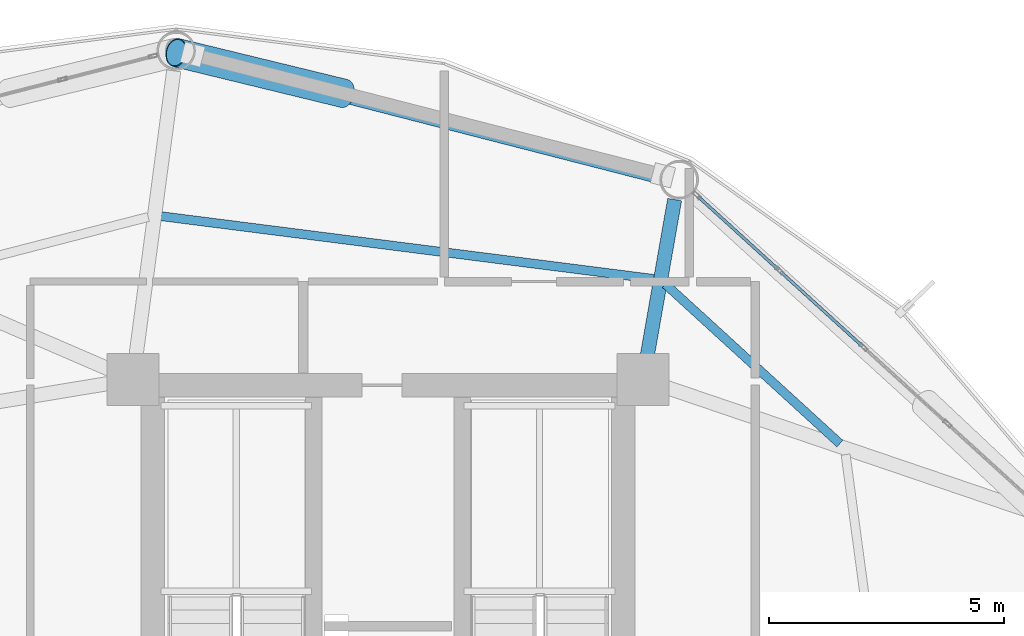
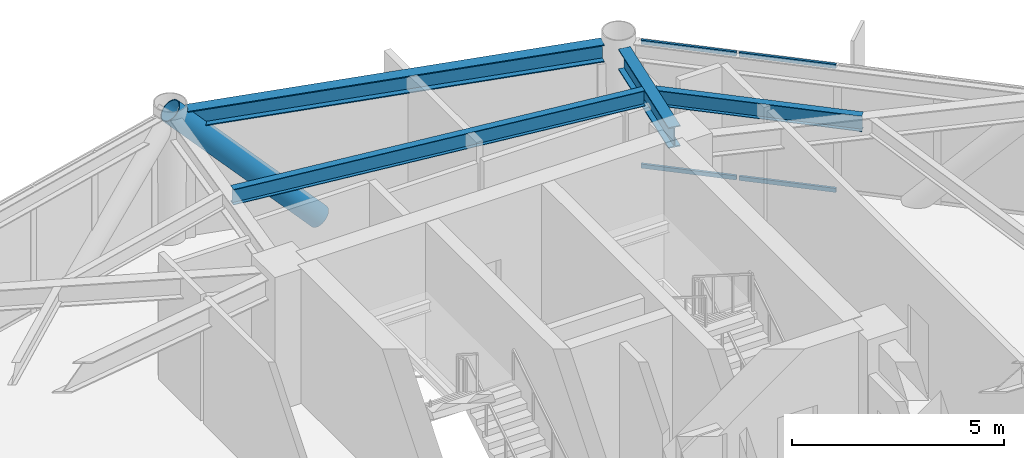
# One storey, part 16 of 23: 5 members, 4 beams, 1 element without a shape of its own.
"""IFC4 building model written with IfcOpenShell, lengths in metres."""

from ifc_helpers import new_model, si_unit, direction, frame, origin, origin_2d, place, context, subcontext, project, spatial, hollow_rectangle, hollow_circle, i_section, extrude, material, layer, layer_set, material_profile, profile_set, type_object, element, aggregate, save


model = new_model("IFC4")

# Units and contexts
model_context = context("Model", 3, precision=1e-05, world=origin(), true_north=direction((0.0, 1.0)))
body_context = subcontext(model_context, "Body", "Model", "MODEL_VIEW")
ifc_project = project(units=[si_unit("LENGTHUNIT", "METRE"), si_unit("AREAUNIT", "SQUARE_METRE"), si_unit("VOLUMEUNIT", "CUBIC_METRE"), si_unit("PLANEANGLEUNIT", "RADIAN"), si_unit("MASSUNIT", "GRAM", prefix="KILO")], contexts=[model_context])

# Site, building, storey
site_placement = place(None, origin())
site = spatial("IfcSite", under=ifc_project, at=site_placement, CompositionType="ELEMENT")
building_placement = place(site_placement, origin())
building = spatial("IfcBuilding", under=site, at=building_placement, Name="Varnakorn Sky Granary", CompositionType="ELEMENT")
storey_placement = place(building_placement, frame((0.0, 0.0, 107.10009765625)))
storey = spatial("IfcBuildingStorey", under=building, at=storey_placement, Name="L26", CompositionType="ELEMENT", Elevation=107.10009765625)

# Beams
ifc_material_1 = material(Name="Steel S355JR", Category="steel")
ifc_material_profile_1 = material_profile(ifc_material_1, i_section(OverallWidth=0.300048828125, OverallDepth=0.60009765625, WebThickness=0.015380859375, FlangeThickness=0.030029296875, at=origin_2d()), Name="HE 600 B")
ifc_profile_set_1 = profile_set([ifc_material_profile_1], Name="Steel S355JR")
beam_type_1 = type_object("IfcBeamType", Name="BM-RAD-Z2", PredefinedType="BEAM", material=ifc_profile_set_1)
beam_1_placement = place(storey_placement, frame((8.492431640625, 13.03369140625, 3.33984375), z_axis=(0.172726192752, 0.984969878898, 0.0), x_axis=(-0.984969878898, 0.172726192752, 0.0)))
element("IfcBeam", 1, at=beam_1_placement, inside=storey, type_object=beam_type_1, Name="Radial Floor Girder RG03 L26", PredefinedType="BEAM", context=body_context, shape_type="SweptSolid", body=[
    extrude(i_section(OverallWidth=0.300048828125, OverallDepth=0.60009765625, WebThickness=0.015380859375, FlangeThickness=0.030029296875, at=origin_2d()), origin(), (0.0, 0.0, 1.0), 3.458740234375),
])
ifc_material_profile_2 = material_profile(ifc_material_1, i_section(OverallWidth=0.18994140625, OverallDepth=0.449951171875, WebThickness=0.009521484375, FlangeThickness=0.0146484375, at=origin_2d()), Name="IPE 450")
ifc_profile_set_2 = profile_set([ifc_material_profile_2], Name="Steel S355JR")
beam_type_2 = type_object("IfcBeamType", Name="BM-SEC-Z2", PredefinedType="BEAM", material=ifc_profile_set_2)
beam_2_placement = place(storey_placement, frame((12.599853515625, 11.257080078125, 3.414794921875), z_axis=(-0.738249556938, 0.674527680441, 0.0), x_axis=(-0.674527680441, -0.738249556938, 0.0)))
element("IfcBeam", 2, at=beam_2_placement, inside=storey, type_object=beam_type_2, Name="Secondary Floor Chord Beam MSB02 L26", PredefinedType="BEAM", context=body_context, shape_type="SweptSolid", body=[
    extrude(i_section(OverallWidth=0.18994140625, OverallDepth=0.449951171875, WebThickness=0.009521484375, FlangeThickness=0.0146484375, at=origin_2d()), origin(), (0.0, 0.0, 1.0), 5.01904296875),
])
beam_3_placement = place(storey_placement, frame((8.65234375, 14.754638671875, 3.414794921875), z_axis=(-0.991985899301, 0.126348627168, 0.0), x_axis=(-0.126348627168, -0.991985899301, 0.0)))
element("IfcBeam", 3, at=beam_3_placement, inside=storey, type_object=beam_type_2, Name="Secondary Floor Chord Beam MSB03 L26", PredefinedType="BEAM", context=body_context, shape_type="SweptSolid", body=[
    extrude(i_section(OverallWidth=0.18994140625, OverallDepth=0.449951171875, WebThickness=0.009521484375, FlangeThickness=0.0146484375, at=origin_2d()), origin(), (0.0, 0.0, 1.0), 10.55615234375),
])
ifc_material_profile_3 = material_profile(ifc_material_1, i_section(OverallWidth=0.300048828125, OverallDepth=0.5, WebThickness=0.014404296875, FlangeThickness=0.028076171875, at=origin_2d()), Name="HE 500 B")
ifc_profile_set_3 = profile_set([ifc_material_profile_3], Name="Steel S355JR")
beam_type_3 = type_object("IfcBeamType", Name="BM-SPD-Z2", PredefinedType="SPANDREL", material=ifc_profile_set_3)
beam_4_placement = place(storey_placement, frame((8.7783203125, 16.92333984375, 3.389892578125), z_axis=(-0.968546902543, 0.248831062318, 0.0), x_axis=(-0.248831062318, -0.968546902543, 0.0)))
element("IfcBeam", 4, at=beam_4_placement, inside=storey, type_object=beam_type_3, Name="Perimeter Spandrel Ring Beam RB03 L26", PredefinedType="SPANDREL", context=body_context, shape_type="SweptSolid", body=[
    extrude(i_section(OverallWidth=0.300048828125, OverallDepth=0.5, WebThickness=0.014404296875, FlangeThickness=0.028076171875, at=origin_2d()), origin(), (0.0, 0.0, 1.0), 10.220703125),
])

# Curtain wall, members
ifc_material_2 = material(Name="Anodised Bronze Aluminium Alloy 6063-T6", Category="aluminium")
ifc_layer = layer(ifc_material_2, 0.179931640625, Name="Anodised Bronze Aluminium Alloy 6063-T6")
ifc_layer_set = layer_set([ifc_layer], Name="Anodised Bronze Aluminium Alloy 6063-T6")
curtain_wall_type = type_object("IfcCurtainWallType", Name="CW-FRM-2", PredefinedType="USERDEFINED", material=ifc_layer_set)
curtain_wall_placement = place(storey_placement, origin())
curtain_wall = element("IfcCurtainWall", 5, at=curtain_wall_placement, inside=storey, type_object=curtain_wall_type, Name="Unitised Curtain Wall CW4 CW-L26-B02", ObjectType="CURTAIN WALL", PredefinedType="USERDEFINED")
ifc_material_profile_4 = material_profile(ifc_material_2, hollow_rectangle(XDim=0.06494140625, YDim=0.1201171875, WallThickness=0.00341796875, at=origin_2d()), Name="ALU TRAN 65x120")
ifc_profile_set_4 = profile_set([ifc_material_profile_4], Name="Anodised Bronze Aluminium Alloy 6063-T6")
member_type_1 = type_object("IfcMemberType", Name="CW-FRM-2-TRAN", PredefinedType="USERDEFINED", material=ifc_profile_set_4)
member_1_placement = place(storey_placement, frame((9.587646484375, 16.50634765625, 0.032470703125), z_axis=(0.739284086407, -0.673393673556, 0.0), x_axis=(0.673393673556, 0.739284086407, 0.0)))
member_1 = element("IfcMember", 6, at=member_1_placement, type_object=member_type_1, Name="CW4 transom 1.1", ObjectType="TRANSOM", PredefinedType="USERDEFINED", context=body_context, shape_type="SweptSolid", body=[
    extrude(hollow_rectangle(XDim=0.06494140625, YDim=0.1201171875, WallThickness=0.00341796875, at=origin_2d()), origin(), (0.0, 0.0, 1.0), 2.308349609375),
])
member_2_placement = place(storey_placement, frame((9.587646484375, 16.50634765625, 3.607421875), z_axis=(0.739284086407, -0.673393673556, 0.0), x_axis=(0.673393673556, 0.739284086407, 0.0)))
member_2 = element("IfcMember", 7, at=member_2_placement, type_object=member_type_1, Name="CW4 transom 1.2", ObjectType="TRANSOM", PredefinedType="USERDEFINED", context=body_context, shape_type="SweptSolid", body=[
    extrude(hollow_rectangle(XDim=0.06494140625, YDim=0.1201171875, WallThickness=0.00341796875, at=origin_2d()), origin(), (0.0, 0.0, 1.0), 2.308349609375),
])
member_3_placement = place(storey_placement, frame((11.345947265625, 14.90478515625, 0.032470703125), z_axis=(0.739260877094, -0.673419152978, 0.0), x_axis=(0.673419152978, 0.739260877094, 0.0)))
member_3 = element("IfcMember", 8, at=member_3_placement, type_object=member_type_1, Name="CW4 transom 2.1", ObjectType="TRANSOM", PredefinedType="USERDEFINED", context=body_context, shape_type="SweptSolid", body=[
    extrude(hollow_rectangle(XDim=0.06494140625, YDim=0.1201171875, WallThickness=0.00341796875, at=origin_2d()), origin(), (0.0, 0.0, 1.0), 2.343505859375),
])
member_4_placement = place(storey_placement, frame((11.345947265625, 14.90478515625, 3.607421875), z_axis=(0.739260877094, -0.673419152978, 0.0), x_axis=(0.673419152978, 0.739260877094, 0.0)))
member_4 = element("IfcMember", 9, at=member_4_placement, type_object=member_type_1, Name="CW4 transom 2.2", ObjectType="TRANSOM", PredefinedType="USERDEFINED", context=body_context, shape_type="SweptSolid", body=[
    extrude(hollow_rectangle(XDim=0.06494140625, YDim=0.1201171875, WallThickness=0.00341796875, at=origin_2d()), origin(), (0.0, 0.0, 1.0), 2.343505859375),
])
aggregate(curtain_wall, [member_1, member_2, member_3, member_4])

# Member
ifc_material_3 = material(Name="Steel S460M", Category="steel")
ifc_material_profile_5 = material_profile(ifc_material_3, hollow_circle(Radius=0.304931640625, WallThickness=0.022216796875, at=origin_2d()), Name="CHS 610x22")
ifc_profile_set_5 = profile_set([ifc_material_profile_5], Name="Steel S460M")
member_type_2 = type_object("IfcMemberType", Name="MB-DIAG-T1", PredefinedType="BRACE", material=ifc_profile_set_5)
member_5_placement = place(storey_placement, frame((2.063720703125, 18.697265625, -0.130126953125), z_axis=(-0.67755360428, 0.164781482167, 0.716776238768), x_axis=(-0.23631251107, -0.971677105376, 0.0)))
element("IfcMember", 10, at=member_5_placement, inside=storey, type_object=member_type_2, Name="Perimeter CHS Diagrid Brace DG03 L26", PredefinedType="BRACE", context=body_context, shape_type="SweptSolid", body=[
    extrude(hollow_circle(Radius=0.304931640625, WallThickness=0.022216796875, at=origin_2d()), origin(), (0.0, 0.0, 1.0), 5.259765625),
])

save(model, "model.ifc")
